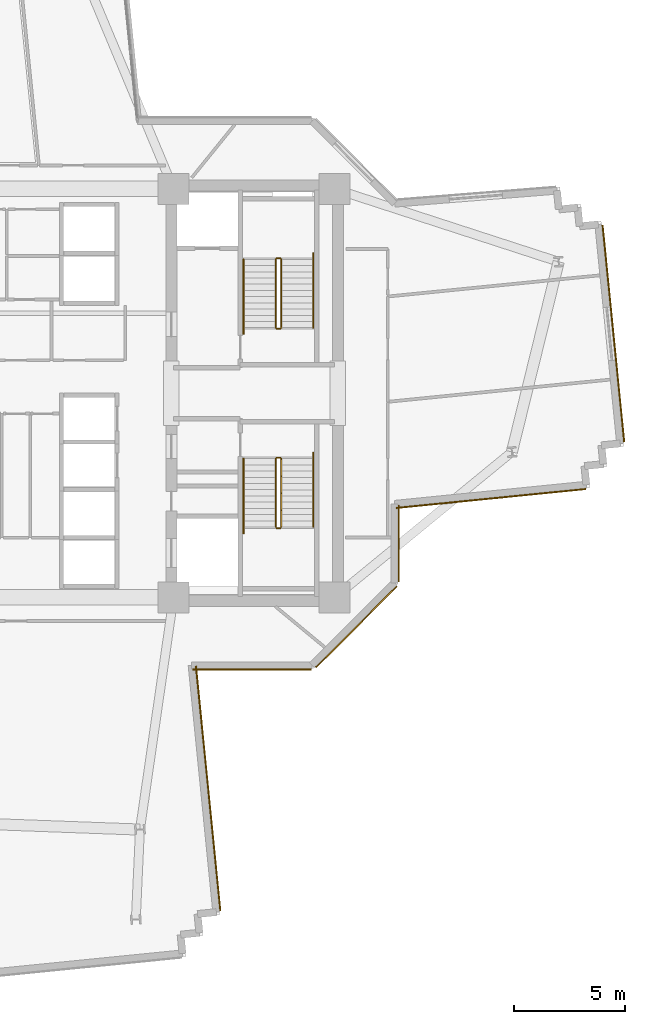
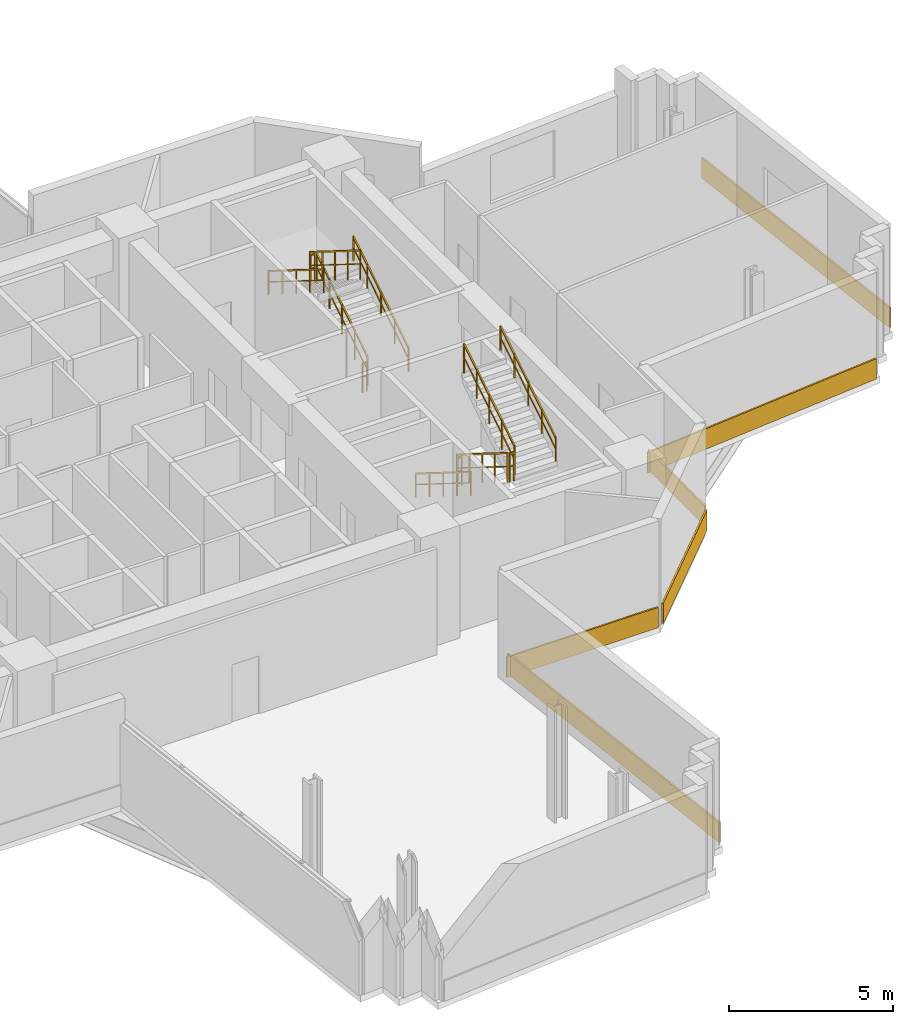
# One storey, part 13 of 14: 12 railings, 6 coverings.
"""IFC4 building model written with IfcOpenShell, lengths in metres."""

from ifc_helpers import new_model, si_unit, direction, frame, origin, origin_2d, place, context, subcontext, project, spatial, rectangle, extrude, source, transform, mapped, material, layer, layer_set, type_object, element, save


model = new_model("IFC4")

# Units and contexts
model_context = context("Model", 3, precision=1e-05, world=origin(), true_north=direction((0.0, 1.0)))
body_context = subcontext(model_context, "Body", "Model", "MODEL_VIEW")
ifc_project = project(units=[si_unit("LENGTHUNIT", "METRE"), si_unit("AREAUNIT", "SQUARE_METRE"), si_unit("VOLUMEUNIT", "CUBIC_METRE"), si_unit("PLANEANGLEUNIT", "RADIAN"), si_unit("MASSUNIT", "GRAM", prefix="KILO")], contexts=[model_context])

# Site, building, storey
site_placement = place(None, origin())
site = spatial("IfcSite", under=ifc_project, at=site_placement, CompositionType="ELEMENT")
building_placement = place(site_placement, origin())
building = spatial("IfcBuilding", under=site, at=building_placement, Name="Zahravan Cultural Tower", CompositionType="ELEMENT")
storey_placement = place(building_placement, frame((0.0, 0.0, 100.5)))
storey = spatial("IfcBuildingStorey", under=building, at=storey_placement, Name="L22", CompositionType="ELEMENT", Elevation=100.5)

# Railings
ifc_material_1 = material(Name="Steel ASTM A572 Grade 50", Category="steel")
railing_type_1 = type_object("IfcRailingType", Name="RL-STAIR-GRD1150", PredefinedType="BALUSTRADE", material=ifc_material_1)
railing_1_placement = place(storey_placement, frame((47.949951171875, 29.949951171875, 0.175048828125)))
element("IfcRailing", 1, at=railing_1_placement, inside=storey, type_object=railing_type_1, Name="L22 ST-E1 stair guard 1", PredefinedType="BALUSTRADE", context=body_context, shape_type="SweptSolid", body=[
    extrude(rectangle(XDim=0.05, YDim=0.05, at=origin_2d()), frame((0.0, 0.0, 1.0751953125), z_axis=(0.0, 0.847998304005, 0.529998940003), x_axis=(-1.0, 0.0, 0.0)), (0.0, 0.0, 1.0), 3.632080078125),
    extrude(rectangle(XDim=0.032, YDim=0.032, at=origin_2d()), frame((0.0, 0.0, 0.572021484375), z_axis=(0.0, 0.847998304005, 0.529998940003), x_axis=(-1.0, 0.0, 0.0)), (0.0, 0.0, 1.0), 3.632080078125),
    extrude(rectangle(XDim=0.04, YDim=0.04, at=origin_2d()), origin(), (0.0, 0.0, 1.0), 1.10009765625),
    extrude(rectangle(XDim=0.04, YDim=0.04, at=origin_2d()), frame((0.0, 0.77001953125, 0.481201171875)), (0.0, 0.0, 1.0), 1.10009765625),
    extrude(rectangle(XDim=0.04, YDim=0.04, at=origin_2d()), frame((0.0, 1.5400390625, 0.96240234375)), (0.0, 0.0, 1.0), 1.10009765625),
    extrude(rectangle(XDim=0.04, YDim=0.04, at=origin_2d()), frame((0.0, 2.31005859375, 1.44384765625)), (0.0, 0.0, 1.0), 1.10009765625),
    extrude(rectangle(XDim=0.04, YDim=0.04, at=origin_2d()), frame((0.0, 3.080078125, 1.925048828125)), (0.0, 0.0, 1.0), 1.10009765625),
])
railing_2_placement = place(storey_placement, frame((47.89990234375, 33.080078125, 2.10009765625)))
element("IfcRailing", 2, at=railing_2_placement, inside=storey, type_object=railing_type_1, Name="L22 ST-E1 stair guard 2", PredefinedType="BALUSTRADE", context=body_context, shape_type="SweptSolid", body=[
    extrude(rectangle(XDim=0.05, YDim=0.05, at=origin_2d()), frame((0.0, 0.0, 1.0751953125), z_axis=(-1.0, 0.0, 0.0), x_axis=(0.0, -1.0, 0.0)), (0.0, 0.0, 1.0), 0.14990234375),
    extrude(rectangle(XDim=0.032, YDim=0.032, at=origin_2d()), frame((0.0, 0.0, 0.572021484375), z_axis=(-1.0, 0.0, 0.0), x_axis=(0.0, -1.0, 0.0)), (0.0, 0.0, 1.0), 0.14990234375),
    extrude(rectangle(XDim=0.04, YDim=0.04, at=origin_2d()), origin(), (0.0, 0.0, 1.0), 1.10009765625),
    extrude(rectangle(XDim=0.04, YDim=0.04, at=origin_2d()), frame((-0.14990234375, 0.0, 0.0)), (0.0, 0.0, 1.0), 1.10009765625),
])
railing_3_placement = place(storey_placement, frame((47.699951171875, 33.030029296875, 2.27490234375)))
element("IfcRailing", 3, at=railing_3_placement, inside=storey, type_object=railing_type_1, Name="L22 ST-E1 stair guard 3", PredefinedType="BALUSTRADE", context=body_context, shape_type="SweptSolid", body=[
    extrude(rectangle(XDim=0.05, YDim=0.05, at=origin_2d()), frame((0.0, 0.0, 1.0751953125), z_axis=(0.0, -0.847998304005, 0.529998940003), x_axis=(1.0, 0.0, 0.0)), (0.0, 0.0, 1.0), 3.632080078125),
    extrude(rectangle(XDim=0.032, YDim=0.032, at=origin_2d()), frame((0.0, 0.0, 0.572021484375), z_axis=(0.0, -0.847998304005, 0.529998940003), x_axis=(1.0, 0.0, 0.0)), (0.0, 0.0, 1.0), 3.632080078125),
    extrude(rectangle(XDim=0.04, YDim=0.04, at=origin_2d()), origin(), (0.0, 0.0, 1.0), 1.10009765625),
    extrude(rectangle(XDim=0.04, YDim=0.04, at=origin_2d()), frame((0.0, -0.77001953125, 0.481201171875)), (0.0, 0.0, 1.0), 1.10009765625),
    extrude(rectangle(XDim=0.04, YDim=0.04, at=origin_2d()), frame((0.0, -1.5400390625, 0.96240234375)), (0.0, 0.0, 1.0), 1.10009765625),
    extrude(rectangle(XDim=0.04, YDim=0.04, at=origin_2d()), frame((0.0, -2.31005859375, 1.44384765625)), (0.0, 0.0, 1.0), 1.10009765625),
    extrude(rectangle(XDim=0.04, YDim=0.04, at=origin_2d()), frame((0.0, -3.080078125, 1.925048828125)), (0.0, 0.0, 1.0), 1.10009765625),
])
railing_4_placement = place(storey_placement, frame((47.89990234375, 29.89990234375, 0.0)))
element("IfcRailing", 4, at=railing_4_placement, inside=storey, type_object=railing_type_1, Name="L22 ST-E1 stair guard 4", PredefinedType="BALUSTRADE", context=body_context, shape_type="SweptSolid", body=[
    extrude(rectangle(XDim=0.05, YDim=0.05, at=origin_2d()), frame((0.0, 0.0, 1.0751953125), z_axis=(-1.0, 0.0, 0.0), x_axis=(0.0, -1.0, 0.0)), (0.0, 0.0, 1.0), 0.14990234375),
    extrude(rectangle(XDim=0.032, YDim=0.032, at=origin_2d()), frame((0.0, 0.0, 0.572021484375), z_axis=(-1.0, 0.0, 0.0), x_axis=(0.0, -1.0, 0.0)), (0.0, 0.0, 1.0), 0.14990234375),
    extrude(rectangle(XDim=0.04, YDim=0.04, at=origin_2d()), origin(), (0.0, 0.0, 1.0), 1.10009765625),
    extrude(rectangle(XDim=0.04, YDim=0.04, at=origin_2d()), frame((-0.14990234375, 0.0, 0.0)), (0.0, 0.0, 1.0), 1.10009765625),
])
railing_5_placement = place(storey_placement, frame((47.699951171875, 24.050048828125, 0.175048828125)))
element("IfcRailing", 5, at=railing_5_placement, inside=storey, type_object=railing_type_1, Name="L22 ST-E2 stair guard 1", PredefinedType="BALUSTRADE", context=body_context, shape_type="SweptSolid", body=[
    extrude(rectangle(XDim=0.05, YDim=0.05, at=origin_2d()), frame((0.0, 0.0, 1.0751953125), z_axis=(0.0, -0.847998304005, 0.529998940003), x_axis=(1.0, 0.0, 0.0)), (0.0, 0.0, 1.0), 3.632080078125),
    extrude(rectangle(XDim=0.032, YDim=0.032, at=origin_2d()), frame((0.0, 0.0, 0.572021484375), z_axis=(0.0, -0.847998304005, 0.529998940003), x_axis=(1.0, 0.0, 0.0)), (0.0, 0.0, 1.0), 3.632080078125),
    extrude(rectangle(XDim=0.04, YDim=0.04, at=origin_2d()), origin(), (0.0, 0.0, 1.0), 1.10009765625),
    extrude(rectangle(XDim=0.04, YDim=0.04, at=origin_2d()), frame((0.0, -0.77001953125, 0.481201171875)), (0.0, 0.0, 1.0), 1.10009765625),
    extrude(rectangle(XDim=0.04, YDim=0.04, at=origin_2d()), frame((0.0, -1.5400390625, 0.96240234375)), (0.0, 0.0, 1.0), 1.10009765625),
    extrude(rectangle(XDim=0.04, YDim=0.04, at=origin_2d()), frame((0.0, -2.31005859375, 1.44384765625)), (0.0, 0.0, 1.0), 1.10009765625),
    extrude(rectangle(XDim=0.04, YDim=0.04, at=origin_2d()), frame((0.0, -3.080078125, 1.925048828125)), (0.0, 0.0, 1.0), 1.10009765625),
])
railing_6_placement = place(storey_placement, frame((47.75, 20.919921875, 2.10009765625)))
element("IfcRailing", 6, at=railing_6_placement, inside=storey, type_object=railing_type_1, Name="L22 ST-E2 stair guard 2", PredefinedType="BALUSTRADE", context=body_context, shape_type="SweptSolid", body=[
    extrude(rectangle(XDim=0.05, YDim=0.05, at=origin_2d()), frame((0.0, 0.0, 1.0751953125), z_axis=(1.0, 0.0, 0.0), x_axis=(0.0, 1.0, 0.0)), (0.0, 0.0, 1.0), 0.14990234375),
    extrude(rectangle(XDim=0.032, YDim=0.032, at=origin_2d()), frame((0.0, 0.0, 0.572021484375), z_axis=(1.0, 0.0, 0.0), x_axis=(0.0, 1.0, 0.0)), (0.0, 0.0, 1.0), 0.14990234375),
    extrude(rectangle(XDim=0.04, YDim=0.04, at=origin_2d()), origin(), (0.0, 0.0, 1.0), 1.10009765625),
    extrude(rectangle(XDim=0.04, YDim=0.04, at=origin_2d()), frame((0.14990234375, 0.0, 0.0)), (0.0, 0.0, 1.0), 1.10009765625),
])
railing_7_placement = place(storey_placement, frame((47.949951171875, 20.969970703125, 2.27490234375)))
element("IfcRailing", 7, at=railing_7_placement, inside=storey, type_object=railing_type_1, Name="L22 ST-E2 stair guard 3", PredefinedType="BALUSTRADE", context=body_context, shape_type="SweptSolid", body=[
    extrude(rectangle(XDim=0.05, YDim=0.05, at=origin_2d()), frame((0.0, 0.0, 1.0751953125), z_axis=(0.0, 0.847998304005, 0.529998940003), x_axis=(-1.0, 0.0, 0.0)), (0.0, 0.0, 1.0), 3.632080078125),
    extrude(rectangle(XDim=0.032, YDim=0.032, at=origin_2d()), frame((0.0, 0.0, 0.572021484375), z_axis=(0.0, 0.847998304005, 0.529998940003), x_axis=(-1.0, 0.0, 0.0)), (0.0, 0.0, 1.0), 3.632080078125),
    extrude(rectangle(XDim=0.04, YDim=0.04, at=origin_2d()), origin(), (0.0, 0.0, 1.0), 1.10009765625),
    extrude(rectangle(XDim=0.04, YDim=0.04, at=origin_2d()), frame((0.0, 0.77001953125, 0.481201171875)), (0.0, 0.0, 1.0), 1.10009765625),
    extrude(rectangle(XDim=0.04, YDim=0.04, at=origin_2d()), frame((0.0, 1.5400390625, 0.96240234375)), (0.0, 0.0, 1.0), 1.10009765625),
    extrude(rectangle(XDim=0.04, YDim=0.04, at=origin_2d()), frame((0.0, 2.31005859375, 1.44384765625)), (0.0, 0.0, 1.0), 1.10009765625),
    extrude(rectangle(XDim=0.04, YDim=0.04, at=origin_2d()), frame((0.0, 3.080078125, 1.925048828125)), (0.0, 0.0, 1.0), 1.10009765625),
])
railing_8_placement = place(storey_placement, frame((47.75, 24.10009765625, 0.0)))
element("IfcRailing", 8, at=railing_8_placement, inside=storey, type_object=railing_type_1, Name="L22 ST-E2 stair guard 4", PredefinedType="BALUSTRADE", context=body_context, shape_type="SweptSolid", body=[
    extrude(rectangle(XDim=0.05, YDim=0.05, at=origin_2d()), frame((0.0, 0.0, 1.0751953125), z_axis=(1.0, 0.0, 0.0), x_axis=(0.0, 1.0, 0.0)), (0.0, 0.0, 1.0), 0.14990234375),
    extrude(rectangle(XDim=0.032, YDim=0.032, at=origin_2d()), frame((0.0, 0.0, 0.572021484375), z_axis=(1.0, 0.0, 0.0), x_axis=(0.0, 1.0, 0.0)), (0.0, 0.0, 1.0), 0.14990234375),
    extrude(rectangle(XDim=0.04, YDim=0.04, at=origin_2d()), origin(), (0.0, 0.0, 1.0), 1.10009765625),
    extrude(rectangle(XDim=0.04, YDim=0.04, at=origin_2d()), frame((0.14990234375, 0.0, 0.0)), (0.0, 0.0, 1.0), 1.10009765625),
])
railing_type_2 = type_object("IfcRailingType", Name="RL-STAIR-HR900", PredefinedType="HANDRAIL", material=ifc_material_1)
railing_9_placement = place(storey_placement, frame((49.39990234375, 29.949951171875, 0.175048828125)))
element("IfcRailing", 9, at=railing_9_placement, inside=storey, type_object=railing_type_2, Name="L22 ST-E1 stair handrail 1", PredefinedType="HANDRAIL", context=body_context, shape_type="SweptSolid", body=[
    extrude(rectangle(XDim=0.05, YDim=0.05, at=origin_2d()), frame((0.0, 0.0, 0.875), z_axis=(0.0, 0.848022534174, 0.529960169762), x_axis=(-1.0, 0.0, 0.0)), (0.0, 0.0, 1.0), 3.96240234375),
    extrude(rectangle(XDim=0.032, YDim=0.032, at=origin_2d()), frame((0.0, 0.0, 0.468017578125), z_axis=(0.0, 0.848022534174, 0.529960169762), x_axis=(-1.0, 0.0, 0.0)), (0.0, 0.0, 1.0), 3.96240234375),
    extrude(rectangle(XDim=0.04, YDim=0.04, at=origin_2d()), origin(), (0.0, 0.0, 1.0), 0.89990234375),
    extrude(rectangle(XDim=0.04, YDim=0.04, at=origin_2d()), frame((0.0, 0.840087890625, 0.52490234375)), (0.0, 0.0, 1.0), 0.89990234375),
    extrude(rectangle(XDim=0.04, YDim=0.04, at=origin_2d()), frame((0.0, 1.68017578125, 1.0498046875)), (0.0, 0.0, 1.0), 0.89990234375),
    extrude(rectangle(XDim=0.04, YDim=0.04, at=origin_2d()), frame((0.0, 2.52001953125, 1.574951171875)), (0.0, 0.0, 1.0), 0.89990234375),
    extrude(rectangle(XDim=0.04, YDim=0.04, at=origin_2d()), frame((0.0, 3.360107421875, 2.099853515625)), (0.0, 0.0, 1.0), 0.89990234375),
])
railing_10_placement = place(storey_placement, frame((46.25, 33.030029296875, 2.27490234375)))
element("IfcRailing", 10, at=railing_10_placement, inside=storey, type_object=railing_type_2, Name="L22 ST-E1 stair handrail 2", PredefinedType="HANDRAIL", context=body_context, shape_type="SweptSolid", body=[
    extrude(rectangle(XDim=0.05, YDim=0.05, at=origin_2d()), frame((0.0, 0.0, 0.875), z_axis=(0.0, -0.847994842521, 0.530004478338), x_axis=(1.0, 0.0, 0.0)), (0.0, 0.0, 1.0), 3.96240234375),
    extrude(rectangle(XDim=0.032, YDim=0.032, at=origin_2d()), frame((0.0, 0.0, 0.468017578125), z_axis=(0.0, -0.847994842521, 0.530004478338), x_axis=(1.0, 0.0, 0.0)), (0.0, 0.0, 1.0), 3.96240234375),
    extrude(rectangle(XDim=0.04, YDim=0.04, at=origin_2d()), origin(), (0.0, 0.0, 1.0), 0.89990234375),
    extrude(rectangle(XDim=0.04, YDim=0.04, at=origin_2d()), frame((0.0, -0.840087890625, 0.52490234375)), (0.0, 0.0, 1.0), 0.89990234375),
    extrude(rectangle(XDim=0.04, YDim=0.04, at=origin_2d()), frame((0.0, -1.68017578125, 1.050048828125)), (0.0, 0.0, 1.0), 0.89990234375),
    extrude(rectangle(XDim=0.04, YDim=0.04, at=origin_2d()), frame((0.0, -2.52001953125, 1.5751953125)), (0.0, 0.0, 1.0), 0.89990234375),
    extrude(rectangle(XDim=0.04, YDim=0.04, at=origin_2d()), frame((0.0, -3.360107421875, 2.10009765625)), (0.0, 0.0, 1.0), 0.89990234375),
])
railing_11_placement = place(storey_placement, frame((46.25, 24.050048828125, 0.175048828125)))
element("IfcRailing", 11, at=railing_11_placement, inside=storey, type_object=railing_type_2, Name="L22 ST-E2 stair handrail 1", PredefinedType="HANDRAIL", context=body_context, shape_type="SweptSolid", body=[
    extrude(rectangle(XDim=0.05, YDim=0.05, at=origin_2d()), frame((0.0, 0.0, 0.875), z_axis=(0.0, -0.848022534174, 0.529960169762), x_axis=(1.0, 0.0, 0.0)), (0.0, 0.0, 1.0), 3.96240234375),
    extrude(rectangle(XDim=0.032, YDim=0.032, at=origin_2d()), frame((0.0, 0.0, 0.468017578125), z_axis=(0.0, -0.848022534174, 0.529960169762), x_axis=(1.0, 0.0, 0.0)), (0.0, 0.0, 1.0), 3.96240234375),
    extrude(rectangle(XDim=0.04, YDim=0.04, at=origin_2d()), origin(), (0.0, 0.0, 1.0), 0.89990234375),
    extrude(rectangle(XDim=0.04, YDim=0.04, at=origin_2d()), frame((0.0, -0.840087890625, 0.52490234375)), (0.0, 0.0, 1.0), 0.89990234375),
    extrude(rectangle(XDim=0.04, YDim=0.04, at=origin_2d()), frame((0.0, -1.68017578125, 1.0498046875)), (0.0, 0.0, 1.0), 0.89990234375),
    extrude(rectangle(XDim=0.04, YDim=0.04, at=origin_2d()), frame((0.0, -2.52001953125, 1.574951171875)), (0.0, 0.0, 1.0), 0.89990234375),
    extrude(rectangle(XDim=0.04, YDim=0.04, at=origin_2d()), frame((0.0, -3.360107421875, 2.099853515625)), (0.0, 0.0, 1.0), 0.89990234375),
])
railing_12_placement = place(storey_placement, frame((49.39990234375, 20.969970703125, 2.27490234375)))
element("IfcRailing", 12, at=railing_12_placement, inside=storey, type_object=railing_type_2, Name="L22 ST-E2 stair handrail 2", PredefinedType="HANDRAIL", context=body_context, shape_type="SweptSolid", body=[
    extrude(rectangle(XDim=0.05, YDim=0.05, at=origin_2d()), frame((0.0, 0.0, 0.875), z_axis=(0.0, 0.847994842521, 0.530004478338), x_axis=(-1.0, 0.0, 0.0)), (0.0, 0.0, 1.0), 3.96240234375),
    extrude(rectangle(XDim=0.032, YDim=0.032, at=origin_2d()), frame((0.0, 0.0, 0.468017578125), z_axis=(0.0, 0.847994842521, 0.530004478338), x_axis=(-1.0, 0.0, 0.0)), (0.0, 0.0, 1.0), 3.96240234375),
    extrude(rectangle(XDim=0.04, YDim=0.04, at=origin_2d()), origin(), (0.0, 0.0, 1.0), 0.89990234375),
    extrude(rectangle(XDim=0.04, YDim=0.04, at=origin_2d()), frame((0.0, 0.840087890625, 0.52490234375)), (0.0, 0.0, 1.0), 0.89990234375),
    extrude(rectangle(XDim=0.04, YDim=0.04, at=origin_2d()), frame((0.0, 1.68017578125, 1.050048828125)), (0.0, 0.0, 1.0), 0.89990234375),
    extrude(rectangle(XDim=0.04, YDim=0.04, at=origin_2d()), frame((0.0, 2.52001953125, 1.5751953125)), (0.0, 0.0, 1.0), 0.89990234375),
    extrude(rectangle(XDim=0.04, YDim=0.04, at=origin_2d()), frame((0.0, 3.360107421875, 2.10009765625)), (0.0, 0.0, 1.0), 0.89990234375),
])

# Coverings
ifc_material_2 = material(Name="Terracotta ceramic cladding", Category="masonry")
ifc_layer = layer(ifc_material_2, 0.06005859375)
ifc_layer_set = layer_set([ifc_layer], Name="Terracotta ceramic cladding")
covering_type = type_object("IfcCoveringType", Name="COV-CLAD-TC60", PredefinedType="CLADDING", material=ifc_layer_set)
shared_shape_1 = source(origin(), body_context, "Body", "SweptSolid", [
    extrude(rectangle(XDim=9.820068359375, YDim=0.06005859375, at=origin_2d()), origin(), (0.0, 0.0, 1.0), 0.760009765625),
])
covering_1_placement = place(storey_placement, frame((62.911376953125, 29.68603515625, 0.02001953125), z_axis=(0.0, 0.0, 1.0), x_axis=(0.099319749744, -0.995055569961, 0.0)))
element("IfcCovering", 13, at=covering_1_placement, inside=storey, type_object=covering_type, Name="L22 Terracotta Spandrel Cladding 32", PredefinedType="CLADDING", context=body_context, shape_type="MappedRepresentation", body=[
    mapped(shared_shape_1, transform((0.0, 0.0, 0.0), x_axis=(1.0, 0.0, 0.0), y_axis=(0.0, 1.0, 0.0), z_axis=(0.0, 0.0, 1.0), scale=1.0)),
])
shared_shape_2 = source(origin(), body_context, "Body", "SweptSolid", [
    extrude(rectangle(XDim=5.157958984375, YDim=0.06005859375, at=origin_2d()), origin(), (0.0, 0.0, 1.0), 0.760009765625),
])
covering_2_placement = place(storey_placement, frame((51.331787109375, 16.46826171875, 0.02001953125), z_axis=(0.0, 0.0, 1.0), x_axis=(-0.707106781187, -0.707106781187, 0.0)))
element("IfcCovering", 14, at=covering_2_placement, inside=storey, type_object=covering_type, Name="L22 Terracotta Spandrel Cladding 39", PredefinedType="CLADDING", context=body_context, shape_type="MappedRepresentation", body=[
    mapped(shared_shape_2, transform((0.0, 0.0, 0.0), x_axis=(1.0, 0.0, 0.0), y_axis=(0.0, 1.0, 0.0), z_axis=(0.0, 0.0, 1.0), scale=1.0)),
])
shared_shape_3 = source(origin(), body_context, "Body", "SweptSolid", [
    extrude(rectangle(XDim=8.580078125, YDim=0.06005859375, at=origin_2d()), origin(), (0.0, 0.0, 1.0), 0.760009765625),
])
covering_3_placement = place(storey_placement, frame((57.39697265625, 22.256591796875, 0.02001953125), z_axis=(0.0, 0.0, 1.0), x_axis=(-0.995055569961, -0.099319749744, 0.0)))
element("IfcCovering", 15, at=covering_3_placement, inside=storey, type_object=covering_type, Name="L22 Terracotta Spandrel Cladding 37", PredefinedType="CLADDING", context=body_context, shape_type="MappedRepresentation", body=[
    mapped(shared_shape_3, transform((0.0, 0.0, 0.0), x_axis=(1.0, 0.0, 0.0), y_axis=(0.0, 1.0, 0.0), z_axis=(0.0, 0.0, 1.0), scale=1.0)),
])
shared_shape_4 = source(origin(), body_context, "Body", "SweptSolid", [
    extrude(rectangle(XDim=3.45166015625, YDim=0.06005859375, at=origin_2d()), origin(), (0.0, 0.0, 1.0), 0.760009765625),
])
covering_4_placement = place(storey_placement, frame((53.2451171875, 20.23388671875, 0.02001953125), z_axis=(0.0, 0.0, 1.0), x_axis=(0.0, -1.0, 0.0)))
element("IfcCovering", 16, at=covering_4_placement, inside=storey, type_object=covering_type, Name="L22 Terracotta Spandrel Cladding 38", PredefinedType="CLADDING", context=body_context, shape_type="MappedRepresentation", body=[
    mapped(shared_shape_4, transform((0.0, 0.0, 0.0), x_axis=(1.0, 0.0, 0.0), y_axis=(0.0, 1.0, 0.0), z_axis=(0.0, 0.0, 1.0), scale=1.0)),
])
shared_shape_5 = source(origin(), body_context, "Body", "SweptSolid", [
    extrude(rectangle(XDim=5.3251953125, YDim=0.06005859375, at=origin_2d()), origin(), (0.0, 0.0, 1.0), 0.760009765625),
])
covering_5_placement = place(storey_placement, frame((46.62939453125, 14.554931640625, 0.02001953125), z_axis=(0.0, 0.0, 1.0), x_axis=(-1.0, 0.0, 0.0)))
element("IfcCovering", 17, at=covering_5_placement, inside=storey, type_object=covering_type, Name="L22 Terracotta Spandrel Cladding 40", PredefinedType="CLADDING", context=body_context, shape_type="MappedRepresentation", body=[
    mapped(shared_shape_5, transform((0.0, 0.0, 0.0), x_axis=(1.0, 0.0, 0.0), y_axis=(0.0, 1.0, 0.0), z_axis=(0.0, 0.0, 1.0), scale=1.0)),
])
shared_shape_6 = source(origin(), body_context, "Body", "SweptSolid", [
    extrude(rectangle(XDim=11.07421875, YDim=0.06005859375, at=origin_2d()), origin(), (0.0, 0.0, 1.0), 0.760009765625),
])
covering_6_placement = place(storey_placement, frame((44.65576171875, 9.19873046875, 0.02001953125), z_axis=(0.0, 0.0, 1.0), x_axis=(0.099319749744, -0.995055569961, 0.0)))
element("IfcCovering", 18, at=covering_6_placement, inside=storey, type_object=covering_type, Name="L22 Terracotta Spandrel Cladding 41", PredefinedType="CLADDING", context=body_context, shape_type="MappedRepresentation", body=[
    mapped(shared_shape_6, transform((0.0, 0.0, 0.0), x_axis=(1.0, 0.0, 0.0), y_axis=(0.0, 1.0, 0.0), z_axis=(0.0, 0.0, 1.0), scale=1.0)),
])

save(model, "model.ifc")
